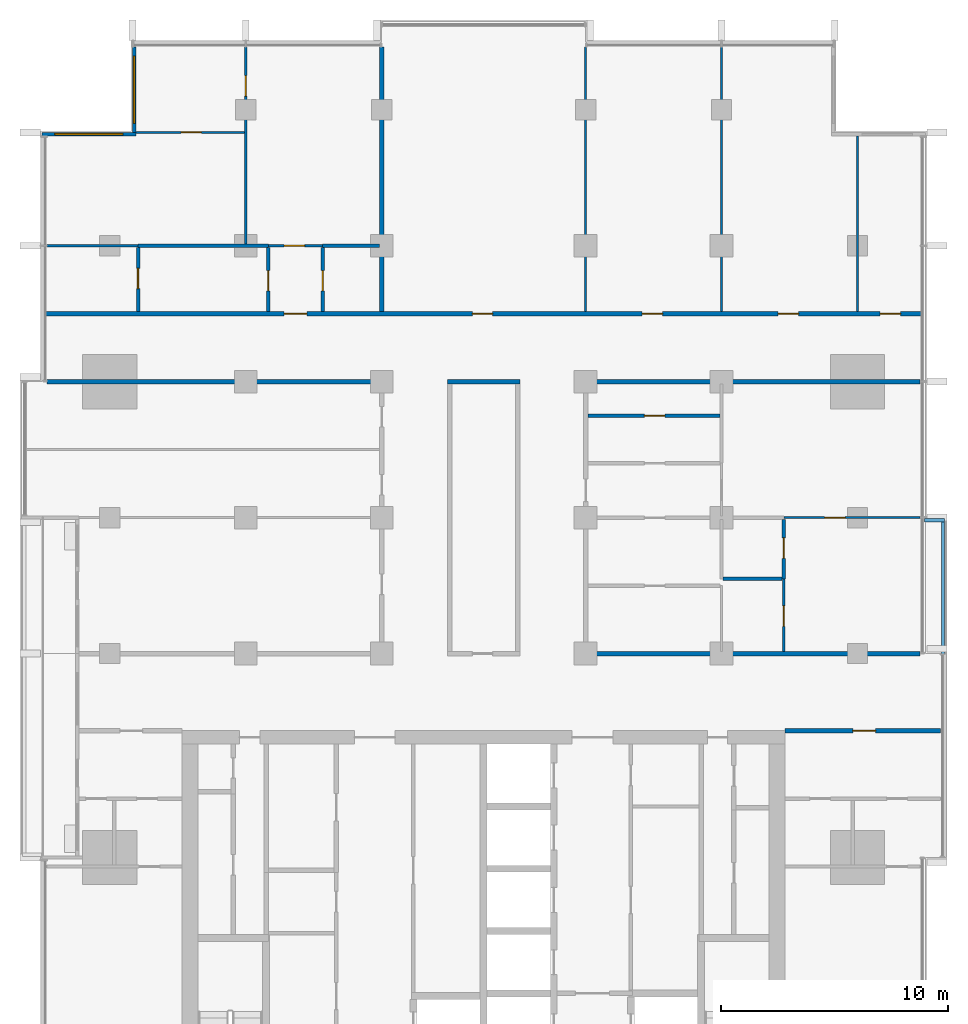
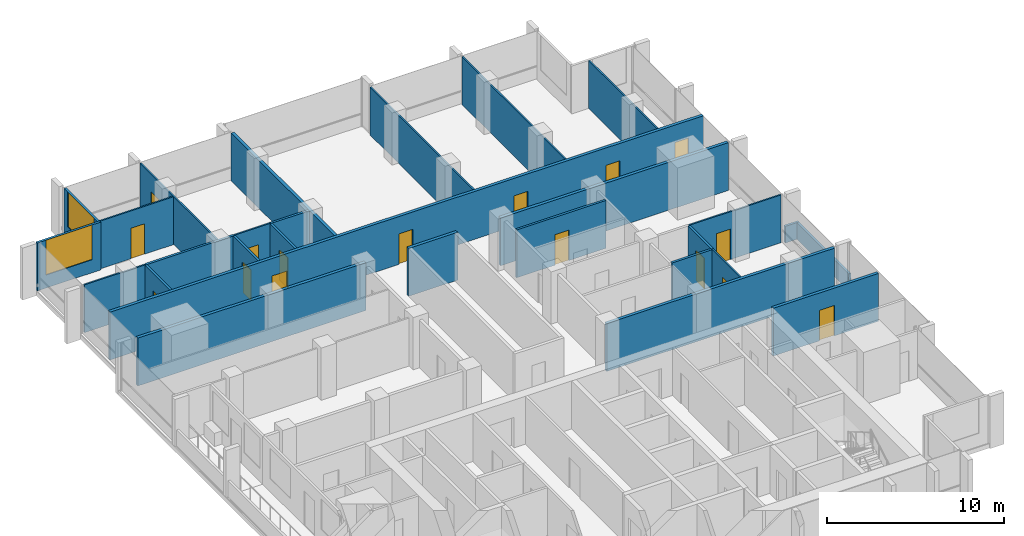
# One storey, part 10 of 16: 28 walls, 16 doors, 2 windows, 18 openings.
"""IFC4 building model written with IfcOpenShell, lengths in metres."""

from ifc_helpers import new_model, si_unit, direction, frame, frame_2d, origin, place, context, subcontext, project, spatial, rectangle, extrude, material, layer, layer_set, type_object, element, fill, save


model = new_model("IFC4")

# Units and contexts
model_context = context("Model", 3, precision=1e-05, world=origin(), true_north=direction((0.0, 1.0)))
body_context = subcontext(model_context, "Body", "Model", "MODEL_VIEW")
ifc_project = project(units=[si_unit("LENGTHUNIT", "METRE"), si_unit("AREAUNIT", "SQUARE_METRE"), si_unit("VOLUMEUNIT", "CUBIC_METRE"), si_unit("PLANEANGLEUNIT", "RADIAN"), si_unit("MASSUNIT", "GRAM", prefix="KILO")], contexts=[model_context])

# Site, building, storey
site_placement = place(None, origin())
site = spatial("IfcSite", under=ifc_project, at=site_placement, CompositionType="ELEMENT")
building_placement = place(site_placement, origin())
building = spatial("IfcBuilding", under=site, at=building_placement, Name="Finial Court Residences", CompositionType="ELEMENT")
storey_placement = place(building_placement, frame((0.0, 0.0, 188.89990234375)))
storey = spatial("IfcBuildingStorey", under=building, at=storey_placement, Name="L47", CompositionType="ELEMENT", Elevation=188.89990234375)

# Wall, opening, door
ifc_material_1 = material(Name="Gypsum board")
ifc_layer_1 = layer(ifc_material_1, 0.02490234375)
ifc_material_2 = material(Name="Acoustic mineral wool in double frame")
ifc_layer_2 = layer(ifc_material_2, 0.14990234375)
ifc_layer_3 = layer(ifc_material_1, 0.02490234375)
ifc_layer_set_1 = layer_set([ifc_layer_1, ifc_layer_2, ifc_layer_3], Name="Corridor wall 200, 1 hour")
wall_type_1 = type_object("IfcWallType", Name="Corridor wall 200, 1 hour", PredefinedType="PARTITIONING", material=ifc_layer_set_1)
wall_1_placement = place(storey_placement, frame((13.300048828125, -7.89990234375, 0.0), z_axis=(0.0, 0.0, 1.0), x_axis=(1.0, 0.0, 0.0)))
wall_1 = element("IfcWall", 1, at=wall_1_placement, inside=storey, type_object=wall_type_1, Name="Partition L47-005", PredefinedType="PARTITIONING", context=body_context, shape_type="SweptSolid", body=[
    extrude(rectangle(XDim=6.862548828125, YDim=0.199951171875, at=frame_2d((3.43115234375, 0.0))), origin(), (0.0, 0.0, 1.0), 3.300048828125),
])
opening_1_placement = place(wall_1_placement, frame((3.0, 0.0, 0.0)))
opening_1 = element("IfcOpeningElement", 2, at=opening_1_placement, cuts=wall_1, Name="Opening L47-D008", PredefinedType="OPENING", context=body_context, shape_type="SweptSolid", body=[
    extrude(rectangle(XDim=1.0, YDim=2.10009765625, at=frame_2d((0.5, 1.050048828125))), frame((0.0, 0.10986328125, 0.0), z_axis=(0.0, -1.0, 0.0), x_axis=(1.0, 0.0, 0.0)), (0.0, 0.0, 1.0), 0.219970703125),
])
ifc_material_3 = material(Name="Timber door leaf in hollow metal frame", Category="wood")
door_type_1 = type_object("IfcDoorType", Name="Fire door set 1000 x 2100, 30 minutes", OperationType="SINGLE_SWING_LEFT", PredefinedType="DOOR", material=ifc_material_3)
door_1_placement = place(opening_1_placement, origin())
door_1 = element("IfcDoor", 3, at=door_1_placement, inside=storey, type_object=door_type_1, Name="Door L47-D008", OperationType="SINGLE_SWING_RIGHT", OverallHeight=2.10009765625, OverallWidth=1.0, PredefinedType="DOOR", context=body_context, shape_type="SweptSolid", body=[
    extrude(rectangle(XDim=1.0, YDim=2.10009765625, at=frame_2d((0.5, 1.050048828125))), frame((0.0, 0.02490234375, 0.0), z_axis=(0.0, -1.0, 0.0), x_axis=(1.0, 0.0, 0.0)), (0.0, 0.0, 1.0), 0.050048828125),
])
fill(opening_1, door_1)

# Walls
for number, where, z_axis, x_axis, name in (
    (4, (4.39990234375, -4.5, 0.0), (0.0, 0.0, 1.0), (1.0, 0.0, 0.0), "Partition L47-008"),
    (5, (-19.262451171875, 7.5, 0.0), (0.0, 0.0, 1.0), (1.0, 0.0, 0.0), "Partition L47-017"),
):
    element("IfcWall", number, at=place(storey_placement, frame(where, z_axis=z_axis, x_axis=x_axis)), inside=storey, type_object=wall_type_1, Name=name, PredefinedType="PARTITIONING", context=body_context, shape_type="SweptSolid", body=[
        extrude(rectangle(XDim=14.862548828125, YDim=0.199951171875, at=frame_2d((7.43115234375, 0.0))), origin(), (0.0, 0.0, 1.0), 3.300048828125),
    ])
wall_2_placement = place(storey_placement, frame((-1.60009765625, 7.5, 0.0), z_axis=(0.0, 0.0, 1.0), x_axis=(1.0, 0.0, 0.0)))
element("IfcWall", 6, at=wall_2_placement, inside=storey, type_object=wall_type_1, Name="Partition L47-018", PredefinedType="PARTITIONING", context=body_context, shape_type="SweptSolid", body=[
    extrude(rectangle(XDim=3.2001953125, YDim=0.199951171875, at=frame_2d((1.60009765625, 0.0))), origin(), (0.0, 0.0, 1.0), 3.300048828125),
])
wall_3_placement = place(storey_placement, frame((4.39990234375, 7.5, 0.0), z_axis=(0.0, 0.0, 1.0), x_axis=(1.0, 0.0, 0.0)))
element("IfcWall", 7, at=wall_3_placement, inside=storey, type_object=wall_type_1, Name="Partition L47-019", PredefinedType="PARTITIONING", context=body_context, shape_type="SweptSolid", body=[
    extrude(rectangle(XDim=14.862548828125, YDim=0.199951171875, at=frame_2d((7.43115234375, 0.0))), origin(), (0.0, 0.0, 1.0), 3.300048828125),
])

# Wall, openings, doors
wall_4_placement = place(storey_placement, frame((-19.35009765625, 10.5, 0.0), z_axis=(0.0, 0.0, 1.0), x_axis=(1.0, 0.0, 0.0)))
wall_4 = element("IfcWall", 8, at=wall_4_placement, inside=storey, type_object=wall_type_1, Name="Partition L47-020", PredefinedType="PARTITIONING", context=body_context, shape_type="SweptSolid", body=[
    extrude(rectangle(XDim=38.7001953125, YDim=0.199951171875, at=frame_2d((19.35009765625, 0.0))), origin(), (0.0, 0.0, 1.0), 3.300048828125),
])
opening_2_placement = place(wall_4_placement, frame((10.550048828125, 0.0, 0.0)))
opening_2 = element("IfcOpeningElement", 9, at=opening_2_placement, cuts=wall_4, Name="Opening L47-D015", PredefinedType="OPENING", context=body_context, shape_type="SweptSolid", body=[
    extrude(rectangle(XDim=1.0, YDim=2.10009765625, at=frame_2d((0.5, 1.050048828125))), frame((0.0, 0.10986328125, 0.0), z_axis=(0.0, -1.0, 0.0), x_axis=(1.0, 0.0, 0.0)), (0.0, 0.0, 1.0), 0.219970703125),
])
opening_3_placement = place(wall_4_placement, frame((18.85009765625, 0.0, 0.0)))
opening_3 = element("IfcOpeningElement", 10, at=opening_3_placement, cuts=wall_4, Name="Opening L47-D016", PredefinedType="OPENING", context=body_context, shape_type="SweptSolid", body=[
    extrude(rectangle(XDim=0.89990234375, YDim=2.10009765625, at=frame_2d((0.449951171875, 1.050048828125))), frame((0.0, 0.10986328125, 0.0), z_axis=(0.0, -1.0, 0.0), x_axis=(1.0, 0.0, 0.0)), (0.0, 0.0, 1.0), 0.219970703125),
])
opening_4_placement = place(wall_4_placement, frame((26.35009765625, 0.0, 0.0)))
opening_4 = element("IfcOpeningElement", 11, at=opening_4_placement, cuts=wall_4, Name="Opening L47-D017", PredefinedType="OPENING", context=body_context, shape_type="SweptSolid", body=[
    extrude(rectangle(XDim=0.89990234375, YDim=2.10009765625, at=frame_2d((0.449951171875, 1.050048828125))), frame((0.0, 0.10986328125, 0.0), z_axis=(0.0, -1.0, 0.0), x_axis=(1.0, 0.0, 0.0)), (0.0, 0.0, 1.0), 0.219970703125),
])
opening_5_placement = place(wall_4_placement, frame((32.35009765625, 0.0, 0.0)))
opening_5 = element("IfcOpeningElement", 12, at=opening_5_placement, cuts=wall_4, Name="Opening L47-D018", PredefinedType="OPENING", context=body_context, shape_type="SweptSolid", body=[
    extrude(rectangle(XDim=0.89990234375, YDim=2.10009765625, at=frame_2d((0.449951171875, 1.050048828125))), frame((0.0, 0.10986328125, 0.0), z_axis=(0.0, -1.0, 0.0), x_axis=(1.0, 0.0, 0.0)), (0.0, 0.0, 1.0), 0.219970703125),
])
opening_6_placement = place(wall_4_placement, frame((36.85009765625, 0.0, 0.0)))
opening_6 = element("IfcOpeningElement", 13, at=opening_6_placement, cuts=wall_4, Name="Opening L47-D019", PredefinedType="OPENING", context=body_context, shape_type="SweptSolid", body=[
    extrude(rectangle(XDim=0.89990234375, YDim=2.10009765625, at=frame_2d((0.449951171875, 1.050048828125))), frame((0.0, 0.10986328125, 0.0), z_axis=(0.0, -1.0, 0.0), x_axis=(1.0, 0.0, 0.0)), (0.0, 0.0, 1.0), 0.219970703125),
])
door_2_placement = place(opening_2_placement, origin())
door_2 = element("IfcDoor", 14, at=door_2_placement, inside=storey, type_object=door_type_1, Name="Door L47-D015", OperationType="SINGLE_SWING_RIGHT", OverallHeight=2.10009765625, OverallWidth=1.0, PredefinedType="DOOR", context=body_context, shape_type="SweptSolid", body=[
    extrude(rectangle(XDim=1.0, YDim=2.10009765625, at=frame_2d((0.5, 1.050048828125))), frame((0.0, 0.02490234375, 0.0), z_axis=(0.0, -1.0, 0.0), x_axis=(1.0, 0.0, 0.0)), (0.0, 0.0, 1.0), 0.050048828125),
])
fill(opening_2, door_2)
door_type_2 = type_object("IfcDoorType", Name="Fire door set 900 x 2100, 30 minutes", OperationType="SINGLE_SWING_LEFT", PredefinedType="DOOR", material=ifc_material_3)
door_3_placement = place(opening_3_placement, origin())
door_3 = element("IfcDoor", 15, at=door_3_placement, inside=storey, type_object=door_type_2, Name="Door L47-D016", OperationType="SINGLE_SWING_LEFT", OverallHeight=2.10009765625, OverallWidth=0.89990234375, PredefinedType="DOOR", context=body_context, shape_type="SweptSolid", body=[
    extrude(rectangle(XDim=0.89990234375, YDim=2.10009765625, at=frame_2d((0.449951171875, 1.050048828125))), frame((0.0, 0.02490234375, 0.0), z_axis=(0.0, -1.0, 0.0), x_axis=(1.0, 0.0, 0.0)), (0.0, 0.0, 1.0), 0.050048828125),
])
fill(opening_3, door_3)
door_4_placement = place(opening_4_placement, origin())
door_4 = element("IfcDoor", 16, at=door_4_placement, inside=storey, type_object=door_type_2, Name="Door L47-D017", OperationType="SINGLE_SWING_LEFT", OverallHeight=2.10009765625, OverallWidth=0.89990234375, PredefinedType="DOOR", context=body_context, shape_type="SweptSolid", body=[
    extrude(rectangle(XDim=0.89990234375, YDim=2.10009765625, at=frame_2d((0.449951171875, 1.050048828125))), frame((0.0, 0.02490234375, 0.0), z_axis=(0.0, -1.0, 0.0), x_axis=(1.0, 0.0, 0.0)), (0.0, 0.0, 1.0), 0.050048828125),
])
fill(opening_4, door_4)
door_5_placement = place(opening_5_placement, origin())
door_5 = element("IfcDoor", 17, at=door_5_placement, inside=storey, type_object=door_type_2, Name="Door L47-D018", OperationType="SINGLE_SWING_LEFT", OverallHeight=2.10009765625, OverallWidth=0.89990234375, PredefinedType="DOOR", context=body_context, shape_type="SweptSolid", body=[
    extrude(rectangle(XDim=0.89990234375, YDim=2.10009765625, at=frame_2d((0.449951171875, 1.050048828125))), frame((0.0, 0.02490234375, 0.0), z_axis=(0.0, -1.0, 0.0), x_axis=(1.0, 0.0, 0.0)), (0.0, 0.0, 1.0), 0.050048828125),
])
fill(opening_5, door_5)
door_6_placement = place(opening_6_placement, origin())
door_6 = element("IfcDoor", 18, at=door_6_placement, inside=storey, type_object=door_type_2, Name="Door L47-D019", OperationType="SINGLE_SWING_LEFT", OverallHeight=2.10009765625, OverallWidth=0.89990234375, PredefinedType="DOOR", context=body_context, shape_type="SweptSolid", body=[
    extrude(rectangle(XDim=0.89990234375, YDim=2.10009765625, at=frame_2d((0.449951171875, 1.050048828125))), frame((0.0, 0.02490234375, 0.0), z_axis=(0.0, -1.0, 0.0), x_axis=(1.0, 0.0, 0.0)), (0.0, 0.0, 1.0), 0.050048828125),
])
fill(opening_6, door_6)

# Wall
wall_5_placement = place(storey_placement, frame((-4.5, 10.60009765625, 0.0), z_axis=(0.0, 0.0, 1.0), x_axis=(0.0, 1.0, 0.0)))
element("IfcWall", 19, at=wall_5_placement, inside=storey, type_object=wall_type_1, Name="Partition L47-032", PredefinedType="PARTITIONING", context=body_context, shape_type="SweptSolid", body=[
    extrude(rectangle(XDim=11.662353515625, YDim=0.199951171875, at=frame_2d((5.8310546875, 0.0))), origin(), (0.0, 0.0, 1.0), 3.300048828125),
])

# Wall, opening, door
ifc_layer_4 = layer(ifc_material_1, 0.012451171875)
ifc_material_4 = material(Name="Mineral wool in light-gauge frame")
ifc_layer_5 = layer(ifc_material_4, 0.074951171875)
ifc_layer_6 = layer(ifc_material_1, 0.012451171875)
ifc_layer_set_2 = layer_set([ifc_layer_4, ifc_layer_5, ifc_layer_6], Name="Gypsum board partition 100")
wall_type_2 = type_object("IfcWallType", Name="Gypsum board partition 100", PredefinedType="PARTITIONING", material=ifc_layer_set_2)
wall_6_placement = place(storey_placement, frame((13.25, 1.5, 0.0), z_axis=(0.0, 0.0, 1.0), x_axis=(1.0, 0.0, 0.0)))
wall_6 = element("IfcWall", 20, at=wall_6_placement, inside=storey, type_object=wall_type_2, Name="Partition L47-012", PredefinedType="PARTITIONING", context=body_context, shape_type="SweptSolid", body=[
    extrude(rectangle(XDim=6.012451171875, YDim=0.10009765625, at=frame_2d((3.00634765625, 0.0))), origin(), (0.0, 0.0, 1.0), 3.300048828125),
])
opening_7_placement = place(wall_6_placement, frame((1.800048828125, 0.0, 0.0)))
opening_7 = element("IfcOpeningElement", 21, at=opening_7_placement, cuts=wall_6, Name="Opening L47-D011", PredefinedType="OPENING", context=body_context, shape_type="SweptSolid", body=[
    extrude(rectangle(XDim=0.89990234375, YDim=2.10009765625, at=frame_2d((0.449951171875, 1.050048828125))), frame((0.0, 0.06005859375, 0.0), z_axis=(0.0, -1.0, 0.0), x_axis=(1.0, 0.0, 0.0)), (0.0, 0.0, 1.0), 0.1201171875),
])
ifc_material_5 = material(Name="Timber door leaf in timber frame", Category="wood")
door_type_3 = type_object("IfcDoorType", Name="Door set 900 x 2100", OperationType="SINGLE_SWING_LEFT", PredefinedType="DOOR", material=ifc_material_5)
door_7_placement = place(opening_7_placement, origin())
door_7 = element("IfcDoor", 22, at=door_7_placement, inside=storey, type_object=door_type_3, Name="Door L47-D011", OperationType="SINGLE_SWING_LEFT", OverallHeight=2.10009765625, OverallWidth=0.89990234375, PredefinedType="DOOR", context=body_context, shape_type="SweptSolid", body=[
    extrude(rectangle(XDim=0.89990234375, YDim=2.10009765625, at=frame_2d((0.449951171875, 1.050048828125))), frame((0.0, 0.02490234375, 0.0), z_axis=(0.0, -1.0, 0.0), x_axis=(1.0, 0.0, 0.0)), (0.0, 0.0, 1.0), 0.050048828125),
])
fill(opening_7, door_7)

# Wall
wall_7_placement = place(storey_placement, frame((-19.262451171875, 13.5, 0.0), z_axis=(0.0, 0.0, 1.0), x_axis=(1.0, 0.0, 0.0)))
element("IfcWall", 23, at=wall_7_placement, inside=storey, type_object=wall_type_2, Name="Partition L47-021", PredefinedType="PARTITIONING", context=body_context, shape_type="SweptSolid", body=[
    extrude(rectangle(XDim=4.012451171875, YDim=0.10009765625, at=frame_2d((2.00634765625, 0.0))), origin(), (0.0, 0.0, 1.0), 3.300048828125),
])

# Wall, opening, door
wall_8_placement = place(storey_placement, frame((-9.5, 13.5, 0.0), z_axis=(0.0, 0.0, 1.0), x_axis=(1.0, 0.0, 0.0)))
wall_8 = element("IfcWall", 24, at=wall_8_placement, inside=storey, type_object=wall_type_2, Name="Partition L47-022", PredefinedType="PARTITIONING", context=body_context, shape_type="SweptSolid", body=[
    extrude(rectangle(XDim=2.39990234375, YDim=0.10009765625, at=frame_2d((1.199951171875, 0.0))), origin(), (0.0, 0.0, 1.0), 3.300048828125),
])
opening_8_placement = place(wall_8_placement, frame((0.699951171875, 0.0, 0.0)))
opening_8 = element("IfcOpeningElement", 25, at=opening_8_placement, cuts=wall_8, Name="Opening L47-D020", PredefinedType="OPENING", context=body_context, shape_type="SweptSolid", body=[
    extrude(rectangle(XDim=0.89990234375, YDim=2.10009765625, at=frame_2d((0.449951171875, 1.050048828125))), frame((0.0, 0.06005859375, 0.0), z_axis=(0.0, -1.0, 0.0), x_axis=(1.0, 0.0, 0.0)), (0.0, 0.0, 1.0), 0.1201171875),
])
door_8_placement = place(opening_8_placement, origin())
door_8 = element("IfcDoor", 26, at=door_8_placement, inside=storey, type_object=door_type_3, Name="Door L47-D020", OperationType="SINGLE_SWING_RIGHT", OverallHeight=2.10009765625, OverallWidth=0.89990234375, PredefinedType="DOOR", context=body_context, shape_type="SweptSolid", body=[
    extrude(rectangle(XDim=0.89990234375, YDim=2.10009765625, at=frame_2d((0.449951171875, 1.050048828125))), frame((0.0, 0.02490234375, 0.0), z_axis=(0.0, -1.0, 0.0), x_axis=(1.0, 0.0, 0.0)), (0.0, 0.0, 1.0), 0.050048828125),
])
fill(opening_8, door_8)

wall_9_placement = place(storey_placement, frame((-15.35009765625, 18.5, 0.0), z_axis=(0.0, 0.0, 1.0), x_axis=(1.0, 0.0, 0.0)))
wall_9 = element("IfcWall", 27, at=wall_9_placement, inside=storey, type_object=wall_type_2, Name="Partition L47-025", PredefinedType="PARTITIONING", context=body_context, shape_type="SweptSolid", body=[
    extrude(rectangle(XDim=4.800048828125, YDim=0.10009765625, at=frame_2d((2.39990234375, 0.0))), origin(), (0.0, 0.0, 1.0), 3.300048828125),
])
opening_9_placement = place(wall_9_placement, frame((2.0, 0.0, 0.0)))
opening_9 = element("IfcOpeningElement", 28, at=opening_9_placement, cuts=wall_9, Name="Opening L47-D021", PredefinedType="OPENING", context=body_context, shape_type="SweptSolid", body=[
    extrude(rectangle(XDim=0.89990234375, YDim=2.10009765625, at=frame_2d((0.449951171875, 1.050048828125))), frame((0.0, 0.06005859375, 0.0), z_axis=(0.0, -1.0, 0.0), x_axis=(1.0, 0.0, 0.0)), (0.0, 0.0, 1.0), 0.1201171875),
])
door_9_placement = place(opening_9_placement, origin())
door_9 = element("IfcDoor", 29, at=door_9_placement, inside=storey, type_object=door_type_3, Name="Door L47-D021", OperationType="SINGLE_SWING_LEFT", OverallHeight=2.10009765625, OverallWidth=0.89990234375, PredefinedType="DOOR", context=body_context, shape_type="SweptSolid", body=[
    extrude(rectangle(XDim=0.89990234375, YDim=2.10009765625, at=frame_2d((0.449951171875, 1.050048828125))), frame((0.0, 0.02490234375, 0.0), z_axis=(0.0, -1.0, 0.0), x_axis=(1.0, 0.0, 0.0)), (0.0, 0.0, 1.0), 0.050048828125),
])
fill(opening_9, door_9)

wall_10_placement = place(storey_placement, frame((-10.5, 13.574951171875, 0.0), z_axis=(0.0, 0.0, 1.0), x_axis=(0.0, 1.0, 0.0)))
wall_10 = element("IfcWall", 30, at=wall_10_placement, inside=storey, type_object=wall_type_2, Name="Partition L47-028", PredefinedType="PARTITIONING", context=body_context, shape_type="SweptSolid", body=[
    extrude(rectangle(XDim=8.6875, YDim=0.10009765625, at=frame_2d((4.34375, 0.0))), origin(), (0.0, 0.0, 1.0), 3.300048828125),
])
opening_10_placement = place(wall_10_placement, frame((6.52490234375, 0.0, 0.0)))
opening_10 = element("IfcOpeningElement", 31, at=opening_10_placement, cuts=wall_10, Name="Opening L47-D023", PredefinedType="OPENING", context=body_context, shape_type="SweptSolid", body=[
    extrude(rectangle(XDim=0.89990234375, YDim=2.10009765625, at=frame_2d((0.449951171875, 1.050048828125))), frame((0.0, 0.06005859375, 0.0), z_axis=(0.0, -1.0, 0.0), x_axis=(1.0, 0.0, 0.0)), (0.0, 0.0, 1.0), 0.1201171875),
])
door_10_placement = place(opening_10_placement, origin())
door_10 = element("IfcDoor", 32, at=door_10_placement, inside=storey, type_object=door_type_3, Name="Door L47-D023", OperationType="SINGLE_SWING_LEFT", OverallHeight=2.10009765625, OverallWidth=0.89990234375, PredefinedType="DOOR", context=body_context, shape_type="SweptSolid", body=[
    extrude(rectangle(XDim=0.89990234375, YDim=2.10009765625, at=frame_2d((0.449951171875, 1.050048828125))), frame((0.0, 0.02490234375, 0.0), z_axis=(0.0, -1.0, 0.0), x_axis=(1.0, 0.0, 0.0)), (0.0, 0.0, 1.0), 0.050048828125),
])
fill(opening_10, door_10)

# Walls
for number, where, z_axis, x_axis, name in (
    (33, (4.5, 10.60009765625, 0.0), (0.0, 0.0, 1.0), (0.0, 1.0, 0.0), "Partition L47-036"),
    (34, (10.5, 10.60009765625, 0.0), (0.0, 0.0, 1.0), (0.0, 1.0, 0.0), "Partition L47-039"),
):
    element("IfcWall", number, at=place(storey_placement, frame(where, z_axis=z_axis, x_axis=x_axis)), inside=storey, type_object=wall_type_2, Name=name, PredefinedType="PARTITIONING", context=body_context, shape_type="SweptSolid", body=[
        extrude(rectangle(XDim=11.662353515625, YDim=0.10009765625, at=frame_2d((5.8310546875, 0.0))), origin(), (0.0, 0.0, 1.0), 3.300048828125),
    ])

# Wall, opening, door
wall_11_placement = place(storey_placement, frame((13.25, -4.39990234375, 0.0), z_axis=(0.0, 0.0, 1.0), x_axis=(0.0, 1.0, 0.0)))
wall_11 = element("IfcWall", 35, at=wall_11_placement, inside=storey, type_object=wall_type_2, Name="Partition L47-042", PredefinedType="PARTITIONING", context=body_context, shape_type="SweptSolid", body=[
    extrude(rectangle(XDim=3.199951171875, YDim=0.10009765625, at=frame_2d((1.60009765625, 0.0))), origin(), (0.0, 0.0, 1.0), 3.300048828125),
])
opening_11_placement = place(wall_11_placement, frame((1.10009765625, 0.0, 0.0)))
opening_11 = element("IfcOpeningElement", 36, at=opening_11_placement, cuts=wall_11, Name="Opening L47-D031", PredefinedType="OPENING", context=body_context, shape_type="SweptSolid", body=[
    extrude(rectangle(XDim=0.89990234375, YDim=2.10009765625, at=frame_2d((0.449951171875, 1.050048828125))), frame((0.0, 0.06005859375, 0.0), z_axis=(0.0, -1.0, 0.0), x_axis=(1.0, 0.0, 0.0)), (0.0, 0.0, 1.0), 0.1201171875),
])
door_11_placement = place(opening_11_placement, origin())
door_11 = element("IfcDoor", 37, at=door_11_placement, inside=storey, type_object=door_type_3, Name="Door L47-D031", OperationType="SINGLE_SWING_RIGHT", OverallHeight=2.10009765625, OverallWidth=0.89990234375, PredefinedType="DOOR", context=body_context, shape_type="SweptSolid", body=[
    extrude(rectangle(XDim=0.89990234375, YDim=2.10009765625, at=frame_2d((0.449951171875, 1.050048828125))), frame((0.0, 0.02490234375, 0.0), z_axis=(0.0, -1.0, 0.0), x_axis=(1.0, 0.0, 0.0)), (0.0, 0.0, 1.0), 0.050048828125),
])
fill(opening_11, door_11)

# Walls
wall_12_placement = place(storey_placement, frame((16.5, 10.60009765625, 0.0), z_axis=(0.0, 0.0, 1.0), x_axis=(0.0, 1.0, 0.0)))
element("IfcWall", 38, at=wall_12_placement, inside=storey, type_object=wall_type_2, Name="Partition L47-045", PredefinedType="PARTITIONING", context=body_context, shape_type="SweptSolid", body=[
    extrude(rectangle(XDim=7.75, YDim=0.10009765625, at=frame_2d((3.875, 0.0))), origin(), (0.0, 0.0, 1.0), 3.300048828125),
])
ifc_material_6 = material(Name="Moisture-resistant gypsum board")
ifc_layer_7 = layer(ifc_material_6, 0.012451171875)
ifc_layer_8 = layer(ifc_material_4, 0.125)
ifc_layer_9 = layer(ifc_material_6, 0.012451171875)
ifc_layer_set_3 = layer_set([ifc_layer_7, ifc_layer_8, ifc_layer_9], Name="Gypsum board wet-area partition 150")
wall_type_3 = type_object("IfcWallType", Name="Gypsum board wet-area partition 150", PredefinedType="PARTITIONING", material=ifc_layer_set_3)
wall_13_placement = place(storey_placement, frame((10.574951171875, -1.199951171875, 0.0), z_axis=(0.0, 0.0, 1.0), x_axis=(1.0, 0.0, 0.0)))
element("IfcWall", 39, at=wall_13_placement, inside=storey, type_object=wall_type_3, Name="Partition L47-010", PredefinedType="PARTITIONING", context=body_context, shape_type="SweptSolid", body=[
    extrude(rectangle(XDim=2.60009765625, YDim=0.14990234375, at=frame_2d((1.300048828125, 0.0))), origin(), (0.0, 0.0, 1.0), 3.300048828125),
])

# Wall, opening, door
wall_14_placement = place(storey_placement, frame((4.60009765625, 6.0, 0.0), z_axis=(0.0, 0.0, 1.0), x_axis=(1.0, 0.0, 0.0)))
wall_14 = element("IfcWall", 40, at=wall_14_placement, inside=storey, type_object=wall_type_3, Name="Partition L47-016", PredefinedType="PARTITIONING", context=body_context, shape_type="SweptSolid", body=[
    extrude(rectangle(XDim=5.824951171875, YDim=0.14990234375, at=frame_2d((2.91259765625, 0.0))), origin(), (0.0, 0.0, 1.0), 3.300048828125),
])
opening_12_placement = place(wall_14_placement, frame((2.5, 0.0, 0.0)))
opening_12 = element("IfcOpeningElement", 41, at=opening_12_placement, cuts=wall_14, Name="Opening L47-D014", PredefinedType="OPENING", context=body_context, shape_type="SweptSolid", body=[
    extrude(rectangle(XDim=0.89990234375, YDim=2.10009765625, at=frame_2d((0.449951171875, 1.050048828125))), frame((0.0, 0.0849609375, 0.0), z_axis=(0.0, -1.0, 0.0), x_axis=(1.0, 0.0, 0.0)), (0.0, 0.0, 1.0), 0.169921875),
])
door_12_placement = place(opening_12_placement, origin())
door_12 = element("IfcDoor", 42, at=door_12_placement, inside=storey, type_object=door_type_3, Name="Door L47-D014", OperationType="SINGLE_SWING_LEFT", OverallHeight=2.10009765625, OverallWidth=0.89990234375, PredefinedType="DOOR", context=body_context, shape_type="SweptSolid", body=[
    extrude(rectangle(XDim=0.89990234375, YDim=2.10009765625, at=frame_2d((0.449951171875, 1.050048828125))), frame((0.0, 0.02490234375, 0.0), z_axis=(0.0, -1.0, 0.0), x_axis=(1.0, 0.0, 0.0)), (0.0, 0.0, 1.0), 0.050048828125),
])
fill(opening_12, door_12)

# Walls
wall_15_placement = place(storey_placement, frame((-15.25, 13.5, 0.0), z_axis=(0.0, 0.0, 1.0), x_axis=(1.0, 0.0, 0.0)))
element("IfcWall", 43, at=wall_15_placement, inside=storey, type_object=wall_type_3, Name="Partition L47-023", PredefinedType="PARTITIONING", context=body_context, shape_type="SweptSolid", body=[
    extrude(rectangle(XDim=5.75, YDim=0.14990234375, at=frame_2d((2.875, 0.0))), origin(), (0.0, 0.0, 1.0), 3.300048828125),
])
wall_16_placement = place(storey_placement, frame((-7.10009765625, 13.5, 0.0), z_axis=(0.0, 0.0, 1.0), x_axis=(1.0, 0.0, 0.0)))
element("IfcWall", 44, at=wall_16_placement, inside=storey, type_object=wall_type_3, Name="Partition L47-024", PredefinedType="PARTITIONING", context=body_context, shape_type="SweptSolid", body=[
    extrude(rectangle(XDim=2.5, YDim=0.14990234375, at=frame_2d((1.25, 0.0))), origin(), (0.0, 0.0, 1.0), 3.300048828125),
])

# Wall, opening, door
wall_17_placement = place(storey_placement, frame((-15.25, 10.60009765625, 0.0), z_axis=(0.0, 0.0, 1.0), x_axis=(0.0, 1.0, 0.0)))
wall_17 = element("IfcWall", 45, at=wall_17_placement, inside=storey, type_object=wall_type_3, Name="Partition L47-027", PredefinedType="PARTITIONING", context=body_context, shape_type="SweptSolid", body=[
    extrude(rectangle(XDim=2.824951171875, YDim=0.14990234375, at=frame_2d((1.41259765625, 0.0))), origin(), (0.0, 0.0, 1.0), 3.300048828125),
])
opening_13_placement = place(wall_17_placement, frame((1.0, 0.0, 0.0)))
opening_13 = element("IfcOpeningElement", 46, at=opening_13_placement, cuts=wall_17, Name="Opening L47-D022", PredefinedType="OPENING", context=body_context, shape_type="SweptSolid", body=[
    extrude(rectangle(XDim=0.89990234375, YDim=2.10009765625, at=frame_2d((0.449951171875, 1.050048828125))), frame((0.0, 0.0849609375, 0.0), z_axis=(0.0, -1.0, 0.0), x_axis=(1.0, 0.0, 0.0)), (0.0, 0.0, 1.0), 0.169921875),
])
door_13_placement = place(opening_13_placement, origin())
door_13 = element("IfcDoor", 47, at=door_13_placement, inside=storey, type_object=door_type_3, Name="Door L47-D022", OperationType="SINGLE_SWING_LEFT", OverallHeight=2.10009765625, OverallWidth=0.89990234375, PredefinedType="DOOR", context=body_context, shape_type="SweptSolid", body=[
    extrude(rectangle(XDim=0.89990234375, YDim=2.10009765625, at=frame_2d((0.449951171875, 1.050048828125))), frame((0.0, 0.02490234375, 0.0), z_axis=(0.0, -1.0, 0.0), x_axis=(1.0, 0.0, 0.0)), (0.0, 0.0, 1.0), 0.050048828125),
])
fill(opening_13, door_13)

wall_18_placement = place(storey_placement, frame((-9.5, 10.60009765625, 0.0), z_axis=(0.0, 0.0, 1.0), x_axis=(0.0, 1.0, 0.0)))
wall_18 = element("IfcWall", 48, at=wall_18_placement, inside=storey, type_object=wall_type_3, Name="Partition L47-029", PredefinedType="PARTITIONING", context=body_context, shape_type="SweptSolid", body=[
    extrude(rectangle(XDim=2.824951171875, YDim=0.14990234375, at=frame_2d((1.41259765625, 0.0))), origin(), (0.0, 0.0, 1.0), 3.300048828125),
])
opening_14_placement = place(wall_18_placement, frame((0.89990234375, 0.0, 0.0)))
opening_14 = element("IfcOpeningElement", 49, at=opening_14_placement, cuts=wall_18, Name="Opening L47-D024", PredefinedType="OPENING", context=body_context, shape_type="SweptSolid", body=[
    extrude(rectangle(XDim=0.89990234375, YDim=2.10009765625, at=frame_2d((0.449951171875, 1.050048828125))), frame((0.0, 0.0849609375, 0.0), z_axis=(0.0, -1.0, 0.0), x_axis=(1.0, 0.0, 0.0)), (0.0, 0.0, 1.0), 0.169921875),
])
door_14_placement = place(opening_14_placement, origin())
door_14 = element("IfcDoor", 50, at=door_14_placement, inside=storey, type_object=door_type_3, Name="Door L47-D024", OperationType="SINGLE_SWING_RIGHT", OverallHeight=2.10009765625, OverallWidth=0.89990234375, PredefinedType="DOOR", context=body_context, shape_type="SweptSolid", body=[
    extrude(rectangle(XDim=0.89990234375, YDim=2.10009765625, at=frame_2d((0.449951171875, 1.050048828125))), frame((0.0, 0.02490234375, 0.0), z_axis=(0.0, -1.0, 0.0), x_axis=(1.0, 0.0, 0.0)), (0.0, 0.0, 1.0), 0.050048828125),
])
fill(opening_14, door_14)

wall_19_placement = place(storey_placement, frame((-7.10009765625, 10.60009765625, 0.0), z_axis=(0.0, 0.0, 1.0), x_axis=(0.0, 1.0, 0.0)))
wall_19 = element("IfcWall", 51, at=wall_19_placement, inside=storey, type_object=wall_type_3, Name="Partition L47-030", PredefinedType="PARTITIONING", context=body_context, shape_type="SweptSolid", body=[
    extrude(rectangle(XDim=2.824951171875, YDim=0.14990234375, at=frame_2d((1.41259765625, 0.0))), origin(), (0.0, 0.0, 1.0), 3.300048828125),
])
opening_15_placement = place(wall_19_placement, frame((0.89990234375, 0.0, 0.0)))
opening_15 = element("IfcOpeningElement", 52, at=opening_15_placement, cuts=wall_19, Name="Opening L47-D025", PredefinedType="OPENING", context=body_context, shape_type="SweptSolid", body=[
    extrude(rectangle(XDim=0.89990234375, YDim=2.10009765625, at=frame_2d((0.449951171875, 1.050048828125))), frame((0.0, 0.0849609375, 0.0), z_axis=(0.0, -1.0, 0.0), x_axis=(1.0, 0.0, 0.0)), (0.0, 0.0, 1.0), 0.169921875),
])
door_15_placement = place(opening_15_placement, origin())
door_15 = element("IfcDoor", 53, at=door_15_placement, inside=storey, type_object=door_type_3, Name="Door L47-D025", OperationType="SINGLE_SWING_RIGHT", OverallHeight=2.10009765625, OverallWidth=0.89990234375, PredefinedType="DOOR", context=body_context, shape_type="SweptSolid", body=[
    extrude(rectangle(XDim=0.89990234375, YDim=2.10009765625, at=frame_2d((0.449951171875, 1.050048828125))), frame((0.0, 0.02490234375, 0.0), z_axis=(0.0, -1.0, 0.0), x_axis=(1.0, 0.0, 0.0)), (0.0, 0.0, 1.0), 0.050048828125),
])
fill(opening_15, door_15)

wall_20_placement = place(storey_placement, frame((13.25, -1.199951171875, 0.0), z_axis=(0.0, 0.0, 1.0), x_axis=(0.0, 1.0, 0.0)))
wall_20 = element("IfcWall", 54, at=wall_20_placement, inside=storey, type_object=wall_type_3, Name="Partition L47-043", PredefinedType="PARTITIONING", context=body_context, shape_type="SweptSolid", body=[
    extrude(rectangle(XDim=2.625, YDim=0.14990234375, at=frame_2d((1.3125, 0.0))), origin(), (0.0, 0.0, 1.0), 3.300048828125),
])
opening_16_placement = place(wall_20_placement, frame((0.89990234375, 0.0, 0.0)))
opening_16 = element("IfcOpeningElement", 55, at=opening_16_placement, cuts=wall_20, Name="Opening L47-D032", PredefinedType="OPENING", context=body_context, shape_type="SweptSolid", body=[
    extrude(rectangle(XDim=0.89990234375, YDim=2.10009765625, at=frame_2d((0.449951171875, 1.050048828125))), frame((0.0, 0.0849609375, 0.0), z_axis=(0.0, -1.0, 0.0), x_axis=(1.0, 0.0, 0.0)), (0.0, 0.0, 1.0), 0.169921875),
])
door_16_placement = place(opening_16_placement, origin())
door_16 = element("IfcDoor", 56, at=door_16_placement, inside=storey, type_object=door_type_3, Name="Door L47-D032", OperationType="SINGLE_SWING_LEFT", OverallHeight=2.10009765625, OverallWidth=0.89990234375, PredefinedType="DOOR", context=body_context, shape_type="SweptSolid", body=[
    extrude(rectangle(XDim=0.89990234375, YDim=2.10009765625, at=frame_2d((0.449951171875, 1.050048828125))), frame((0.0, 0.02490234375, 0.0), z_axis=(0.0, -1.0, 0.0), x_axis=(1.0, 0.0, 0.0)), (0.0, 0.0, 1.0), 0.050048828125),
])
fill(opening_16, door_16)

# Walls
ifc_material_7 = material(Name="Concrete C35/45", Category="concrete")
ifc_layer_10 = layer(ifc_material_7, 0.14990234375)
ifc_layer_set_4 = layer_set([ifc_layer_10], Name="Ledge parapet, Concrete C35/45 150")
wall_type_4 = type_object("IfcWallType", Name="Ledge parapet, Concrete C35/45 150", PredefinedType="PARAPET", material=ifc_layer_set_4)
wall_21_placement = place(storey_placement, frame((19.447509765625, 1.375, 0.0), z_axis=(0.0, 0.0, 1.0), x_axis=(1.0, 0.0, 0.0)))
element("IfcWall", 57, at=wall_21_placement, inside=storey, type_object=wall_type_4, Name="E-L47-LED2-P1", PredefinedType="PARAPET", context=body_context, shape_type="SweptSolid", body=[
    extrude(rectangle(XDim=0.902587890625, YDim=0.14990234375, at=frame_2d((0.451171875, 0.0))), origin(), (0.0, 0.0, 1.0), 1.150146484375),
])
wall_22_placement = place(storey_placement, frame((20.27490234375, 1.300048828125, 0.0), z_axis=(0.0, 0.0, 1.0), x_axis=(0.0, -1.0, 0.0)))
element("IfcWall", 58, at=wall_22_placement, inside=storey, type_object=wall_type_4, Name="E-L47-LED2-P2", PredefinedType="PARAPET", context=body_context, shape_type="SweptSolid", body=[
    extrude(rectangle(XDim=5.8525390625, YDim=0.14990234375, at=frame_2d((2.92626953125, 0.0))), origin(), (0.0, 0.0, 1.0), 1.150146484375),
])

# Wall, opening, window
ifc_material_8 = material(Name="Natural limestone", Category="masonry")
ifc_layer_11 = layer(ifc_material_8, 0.14990234375)
ifc_layer_set_5 = layer_set([ifc_layer_11], Name="Limestone clad wall 150")
wall_type_5 = type_object("IfcWallType", Name="Limestone clad wall 150", PredefinedType="SOLIDWALL", material=ifc_layer_set_5)
wall_23_placement = place(storey_placement, frame((-15.425048828125, 18.5, 0.0), z_axis=(0.0, 0.0, 1.0), x_axis=(0.0, 1.0, 0.0)))
wall_23 = element("IfcWall", 59, at=wall_23_placement, inside=storey, type_object=wall_type_5, Name="E-L47-NWW16", PredefinedType="SOLIDWALL", context=body_context, shape_type="SweptSolid", body=[
    extrude(rectangle(XDim=3.762451171875, YDim=0.14990234375, at=frame_2d((1.88134765625, 0.0))), origin(), (0.0, 0.0, 1.0), 3.300048828125),
])
opening_17_placement = place(wall_23_placement, frame((0.4013671875, 0.0, 0.89990234375)))
opening_17 = element("IfcOpeningElement", 60, at=opening_17_placement, cuts=wall_23, Name="Opening WE47-05", PredefinedType="OPENING", context=body_context, shape_type="SweptSolid", body=[
    extrude(rectangle(XDim=2.9599609375, YDim=2.39990234375, at=frame_2d((1.47998046875, 1.199951171875))), frame((0.0, 0.0849609375, 0.0), z_axis=(0.0, -1.0, 0.0), x_axis=(1.0, 0.0, 0.0)), (0.0, 0.0, 1.0), 0.169921875),
])
ifc_material_9 = material(Name="Clear low-e glass", Category="glass")
window_type_1 = type_object("IfcWindowType", Name="Corner window 2960 x 2400", PartitioningType="SINGLE_PANEL", PredefinedType="WINDOW", material=ifc_material_9)
window_1_placement = place(opening_17_placement, origin())
window_1 = element("IfcWindow", 61, at=window_1_placement, inside=storey, type_object=window_type_1, Name="E-L47-NWW16-W1", OverallHeight=2.39990234375, OverallWidth=2.9599609375, PartitioningType="SINGLE_PANEL", PredefinedType="WINDOW", context=body_context, shape_type="SweptSolid", body=[
    extrude(rectangle(XDim=2.9599609375, YDim=2.39990234375, at=frame_2d((1.47998046875, 1.199951171875))), frame((0.0, 0.030029296875, 0.0), z_axis=(0.0, -1.0, 0.0), x_axis=(1.0, 0.0, 0.0)), (0.0, 0.0, 1.0), 0.06005859375),
])
fill(opening_17, window_1)

wall_24_placement = place(storey_placement, frame((-19.5, 18.425048828125, 0.0), z_axis=(0.0, 0.0, 1.0), x_axis=(1.0, 0.0, 0.0)))
wall_24 = element("IfcWall", 62, at=wall_24_placement, inside=storey, type_object=wall_type_5, Name="E-L47-NWN17", PredefinedType="SOLIDWALL", context=body_context, shape_type="SweptSolid", body=[
    extrude(rectangle(XDim=4.14990234375, YDim=0.14990234375, at=frame_2d((2.074951171875, 0.0))), origin(), (0.0, 0.0, 1.0), 3.300048828125),
])
opening_18_placement = place(wall_24_placement, frame((0.574951171875, 0.0, 0.89990234375)))
opening_18 = element("IfcOpeningElement", 63, at=opening_18_placement, cuts=wall_24, Name="Opening WE47-06", PredefinedType="OPENING", context=body_context, shape_type="SweptSolid", body=[
    extrude(rectangle(XDim=3.0, YDim=2.39990234375, at=frame_2d((1.5, 1.199951171875))), frame((0.0, 0.0849609375, 0.0), z_axis=(0.0, -1.0, 0.0), x_axis=(1.0, 0.0, 0.0)), (0.0, 0.0, 1.0), 0.169921875),
])
window_type_2 = type_object("IfcWindowType", Name="Corner window 3000 x 2400", PartitioningType="SINGLE_PANEL", PredefinedType="WINDOW", material=ifc_material_9)
window_2_placement = place(opening_18_placement, origin())
window_2 = element("IfcWindow", 64, at=window_2_placement, inside=storey, type_object=window_type_2, Name="E-L47-NWN17-W1", OverallHeight=2.39990234375, OverallWidth=3.0, PartitioningType="SINGLE_PANEL", PredefinedType="WINDOW", context=body_context, shape_type="SweptSolid", body=[
    extrude(rectangle(XDim=3.0, YDim=2.39990234375, at=frame_2d((1.5, 1.199951171875))), frame((0.0, 0.030029296875, 0.0), z_axis=(0.0, -1.0, 0.0), x_axis=(1.0, 0.0, 0.0)), (0.0, 0.0, 1.0), 0.06005859375),
])
fill(opening_18, window_2)

save(model, "model.ifc")
